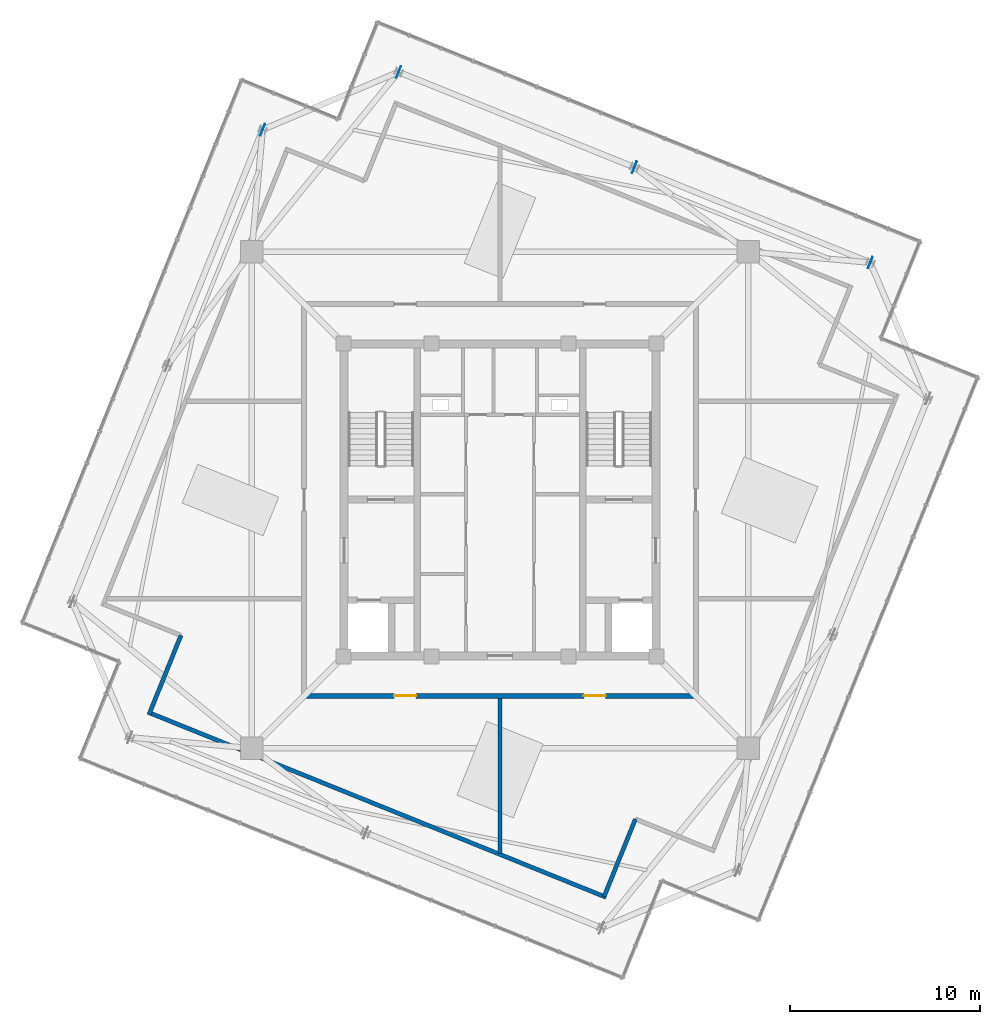
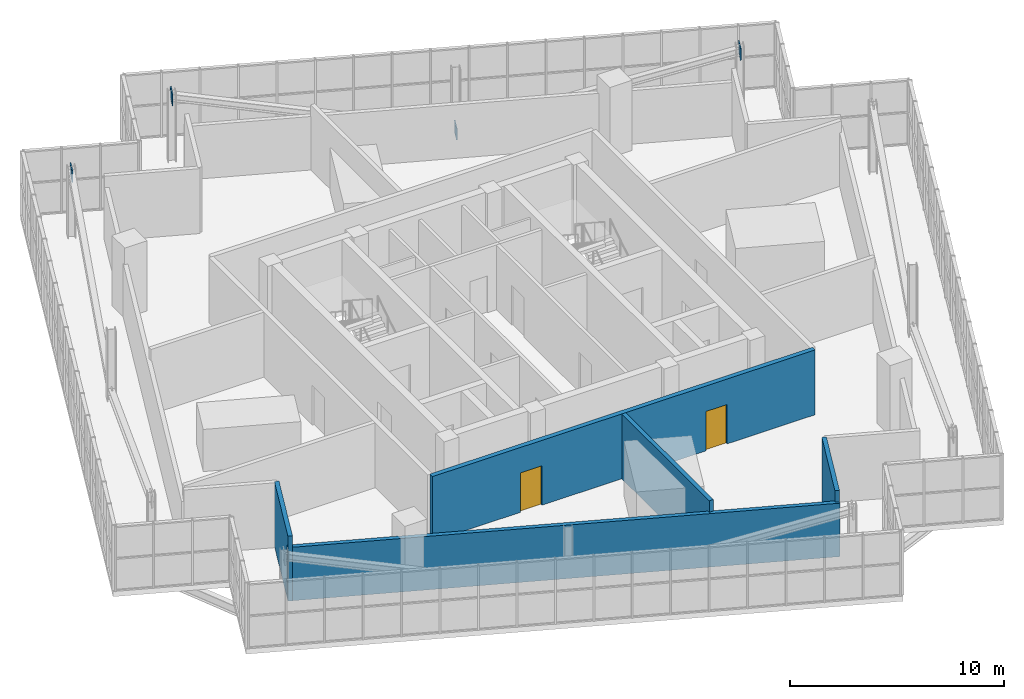
# One storey, part 22 of 26: 5 walls, 4 plates, 2 doors, 2 openings.
"""IFC4 building model written with IfcOpenShell, lengths in metres."""

from ifc_helpers import new_model, si_unit, direction, frame, frame_2d, origin, origin_2d, place, context, subcontext, project, spatial, rectangle, extrude, source, transform, mapped, material, layer, layer_set, type_object, element, fill, save


model = new_model("IFC4")

# Units and contexts
model_context = context("Model", 3, precision=1e-05, world=origin(), true_north=direction((0.0, 1.0)))
body_context = subcontext(model_context, "Body", "Model", "MODEL_VIEW")
ifc_project = project(units=[si_unit("LENGTHUNIT", "METRE"), si_unit("AREAUNIT", "SQUARE_METRE"), si_unit("VOLUMEUNIT", "CUBIC_METRE"), si_unit("PLANEANGLEUNIT", "RADIAN"), si_unit("MASSUNIT", "GRAM", prefix="KILO"), si_unit("THERMODYNAMICTEMPERATUREUNIT", "KELVIN")], contexts=[model_context])

# Site, building, storey
site_placement = place(None, origin())
site = spatial("IfcSite", under=ifc_project, at=site_placement, CompositionType="ELEMENT")
building_placement = place(site_placement, origin())
building = spatial("IfcBuilding", under=site, at=building_placement, Name="Kosmvard Interchange Tower", CompositionType="ELEMENT")
storey_placement = place(building_placement, frame((0.0, 0.0, 325.60009765625)))
storey = spatial("IfcBuildingStorey", under=building, at=storey_placement, Name="L80", CompositionType="ELEMENT", Elevation=325.60009765625)

# Plates
ifc_material_1 = material(Name="Steel S355", Category="steel")
ifc_layer_1 = layer(ifc_material_1, 0.0380859375, Name="Steel S355")
ifc_layer_set_1 = layer_set([ifc_layer_1], Name="Steel S355")
plate_type = type_object("IfcPlateType", Name="Lantern Base & Chord End Cap Stiffener 750x750x38 S355", PredefinedType="USERDEFINED", material=ifc_layer_set_1)
shared_shape_1 = source(origin(), body_context, "Body", "SweptSolid", [
    extrude(rectangle(XDim=0.64990234375, YDim=0.0380859375, at=origin_2d()), origin(), (0.0, 0.0, 1.0), 0.64990234375),
])
for number, where, z_axis, x_axis, name in (
    (1, (19.50439453125, 12.504150390625, 3.324951171875), (0.0, 0.0, 1.0), (0.374606593416, 0.927183854567, 0.0), "L80 Crown Diagrid Node Gusset Plate LAE"),
    (2, (-5.34423828125, 22.54345703125, 3.324951171875), (0.0, 0.0, 1.0), (0.374606593416, 0.927183854567, 0.0), "L80 Crown Diagrid Node Gusset Plate LBE"),
    (3, (7.080078125, 17.523681640625, 0.094970703125), (0.0, 0.0, 1.0), (0.374606593416, 0.927183854567, 0.0), "L80 Crown Diagrid Node Gusset Plate LME"),
    (4, (-12.504150390625, 19.50439453125, 3.324951171875), (0.0, 0.0, 1.0), (0.374606593416, 0.927183854567, 0.0), "L80 Crown Diagrid Node Gusset Plate LAN"),
):
    element("IfcPlate", number, at=place(storey_placement, frame(where, z_axis=z_axis, x_axis=x_axis)), inside=storey, type_object=plate_type, Name=name, ObjectType="STIFFENER_PLATE", PredefinedType="USERDEFINED", context=body_context, shape_type="MappedRepresentation", body=[
        mapped(shared_shape_1, transform((0.0, 0.0, 0.0), scale=1.0)),
    ])

# Wall, openings, doors
ifc_material_2 = material(Name="Concrete blockwork masonry", Category="masonry")
ifc_layer_2 = layer(ifc_material_2, 0.25, Name="Concrete blockwork masonry")
ifc_layer_set_2 = layer_set([ifc_layer_2], Name="Concrete blockwork masonry")
wall_type_1 = type_object("IfcWallType", Name="Exit Passage & Firefighting Lobby Wall 250", PredefinedType="PARTITIONING", material=ifc_layer_set_2)
wall_1_placement = place(storey_placement, frame((-10.320068359375, -10.320068359375, 0.0), z_axis=(0.0, 0.0, 1.0), x_axis=(1.0, 0.0, 0.0)))
wall_1 = element("IfcWall", 5, at=wall_1_placement, inside=storey, type_object=wall_type_1, Name="L80 Corridor Wall CS", PredefinedType="PARTITIONING", context=body_context, shape_type="SweptSolid", body=[
    extrude(rectangle(XDim=20.64013671875, YDim=0.25, at=frame_2d((10.320068359375, 0.0))), origin(), (0.0, 0.0, 1.0), 3.699951171875),
])
opening_1_placement = place(wall_1_placement, frame((14.740478515625, 0.0, 0.0)))
opening_1 = element("IfcOpeningElement", 6, at=opening_1_placement, cuts=wall_1, Name="Opening L80-D04", PredefinedType="OPENING", context=body_context, shape_type="SweptSolid", body=[
    extrude(rectangle(XDim=1.14990234375, YDim=2.25, at=frame_2d((0.574951171875, 1.125))), frame((0.0, 0.135009765625, 0.0), z_axis=(0.0, -1.0, 0.0), x_axis=(1.0, 0.0, 0.0)), (0.0, 0.0, 1.0), 0.27001953125),
])
opening_2_placement = place(wall_1_placement, frame((4.74951171875, 0.0, 0.0)))
opening_2 = element("IfcOpeningElement", 7, at=opening_2_placement, cuts=wall_1, Name="Opening L80-D05", PredefinedType="OPENING", context=body_context, shape_type="SweptSolid", body=[
    extrude(rectangle(XDim=1.14990234375, YDim=2.25, at=frame_2d((0.574951171875, 1.125))), frame((0.0, 0.135009765625, 0.0), z_axis=(0.0, -1.0, 0.0), x_axis=(1.0, 0.0, 0.0)), (0.0, 0.0, 1.0), 0.27001953125),
])
ifc_material_3 = material(Name="Painted fire-rated steel leaf", Category="steel")
door_type = type_object("IfcDoorType", Name="Plant & Riser Fire Door 1150x2250 EI60", OperationType="NOTDEFINED", PredefinedType="DOOR", material=ifc_material_3)
shared_shape_2 = source(origin(), body_context, "Body", "SweptSolid", [
    extrude(rectangle(XDim=1.14990234375, YDim=2.25, at=frame_2d((0.574951171875, 1.125))), frame((0.0, 0.02490234375, 0.0), z_axis=(0.0, -1.0, 0.0), x_axis=(1.0, 0.0, 0.0)), (0.0, 0.0, 1.0), 0.050048828125),
])
door_1_placement = place(opening_1_placement, frame((1.14990234375, 0.0, 0.0), z_axis=(0.0, 0.0, 1.0), x_axis=(-1.0, 0.0, 0.0)))
door_1 = element("IfcDoor", 8, at=door_1_placement, inside=storey, type_object=door_type, Name="L80 Crown Switchgear Plant Room Door", OperationType="SINGLE_SWING_RIGHT", OverallHeight=2.25, OverallWidth=1.14990234375, PredefinedType="DOOR", context=body_context, shape_type="MappedRepresentation", body=[
    mapped(shared_shape_2, transform((0.0, 0.0, 0.0), scale=1.0)),
])
fill(opening_1, door_1)
door_2_placement = place(opening_2_placement, frame((1.14990234375, 0.0, 0.0), z_axis=(0.0, 0.0, 1.0), x_axis=(-1.0, 0.0, 0.0)))
door_2 = element("IfcDoor", 9, at=door_2_placement, inside=storey, type_object=door_type, Name="L80 Condenser Booster Pump Plant Room Door", OperationType="SINGLE_SWING_LEFT", OverallHeight=2.25, OverallWidth=1.14990234375, PredefinedType="DOOR", context=body_context, shape_type="MappedRepresentation", body=[
    mapped(shared_shape_2, transform((0.0, 0.0, 0.0), scale=1.0)),
])
fill(opening_2, door_2)

# Walls
ifc_layer_3 = layer(ifc_material_2, 0.219970703125, Name="Concrete blockwork masonry")
ifc_layer_set_3 = layer_set([ifc_layer_3], Name="Concrete blockwork masonry")
wall_type_2 = type_object("IfcWallType", Name="Riser & Plant Enclosure Wall 220", PredefinedType="PARTITIONING", material=ifc_layer_set_3)
wall_2_placement = place(storey_placement, frame((-16.80615234375, -7.1337890625, 0.0), z_axis=(0.0, 0.0, 1.0), x_axis=(-0.374599091925, -0.927186885331, 0.0)))
element("IfcWall", 10, at=wall_2_placement, inside=storey, type_object=wall_type_2, Name="L80 Crown Plant Enclosure Wall NW2", PredefinedType="PARTITIONING", context=body_context, shape_type="SweptSolid", body=[
    extrude(rectangle(XDim=4.510009765625, YDim=0.219970703125, at=frame_2d((2.2548828125, 0.0))), origin(), (0.0, 0.0, 1.0), 3.699951171875),
])
wall_3_placement = place(storey_placement, frame((-18.556396484375, -11.172119140625, 0.0), z_axis=(0.0, 0.0, 1.0), x_axis=(0.927181788521, -0.374611707018, 0.0)))
element("IfcWall", 11, at=wall_3_placement, inside=storey, type_object=wall_type_2, Name="L80 Crown Plant Enclosure Wall W", PredefinedType="PARTITIONING", context=body_context, shape_type="SweptSolid", body=[
    extrude(rectangle(XDim=26.0400390625, YDim=0.219970703125, at=frame_2d((13.02001953125, 0.0))), origin(), (0.0, 0.0, 1.0), 3.0498046875),
])
wall_4_placement = place(storey_placement, frame((5.485595703125, -20.8857421875, 0.0), z_axis=(0.0, 0.0, 1.0), x_axis=(0.374593321469, 0.927189216671, 0.0)))
element("IfcWall", 12, at=wall_4_placement, inside=storey, type_object=wall_type_2, Name="L80 Crown Plant Enclosure Wall SW1", PredefinedType="PARTITIONING", context=body_context, shape_type="SweptSolid", body=[
    extrude(rectangle(XDim=4.39990234375, YDim=0.219970703125, at=frame_2d((2.199951171875, 0.0))), origin(), (0.0, 0.0, 1.0), 3.699951171875),
])
wall_5_placement = place(storey_placement, frame((0.0, -10.449951171875, 0.0), z_axis=(0.0, 0.0, 1.0), x_axis=(0.0, -1.0, 0.0)))
element("IfcWall", 13, at=wall_5_placement, inside=storey, type_object=wall_type_2, Name="L80 Room Partition 04.1", PredefinedType="PARTITIONING", context=body_context, shape_type="SweptSolid", body=[
    extrude(rectangle(XDim=8.1708984375, YDim=0.219970703125, at=frame_2d((4.08544921875, 0.0))), origin(), (0.0, 0.0, 1.0), 3.699951171875),
])

save(model, "model.ifc")
